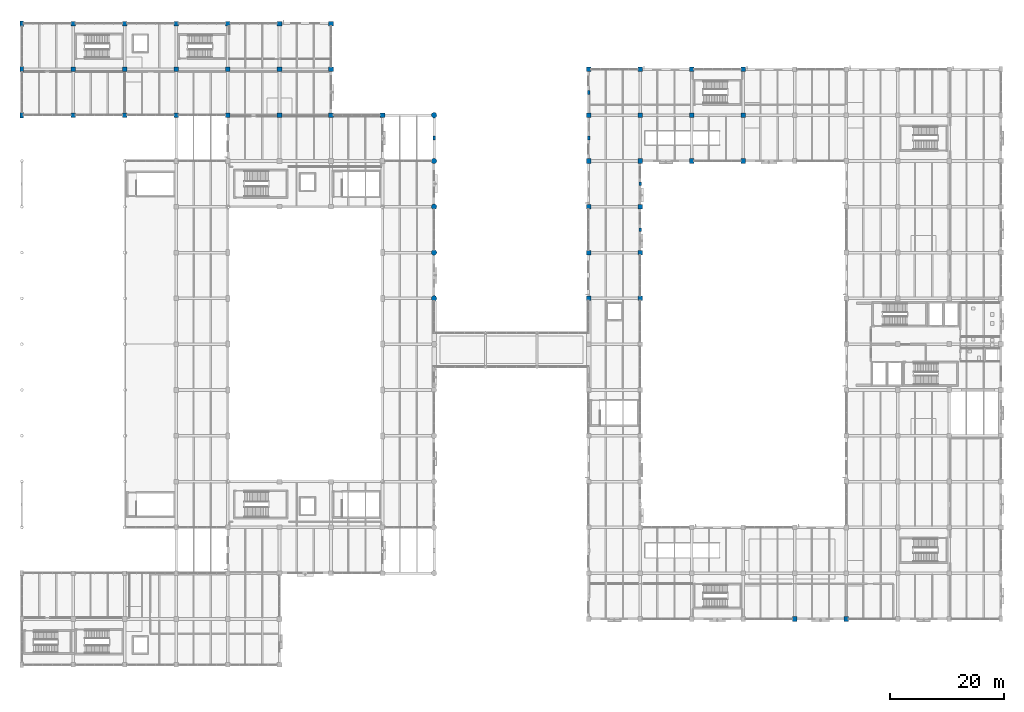
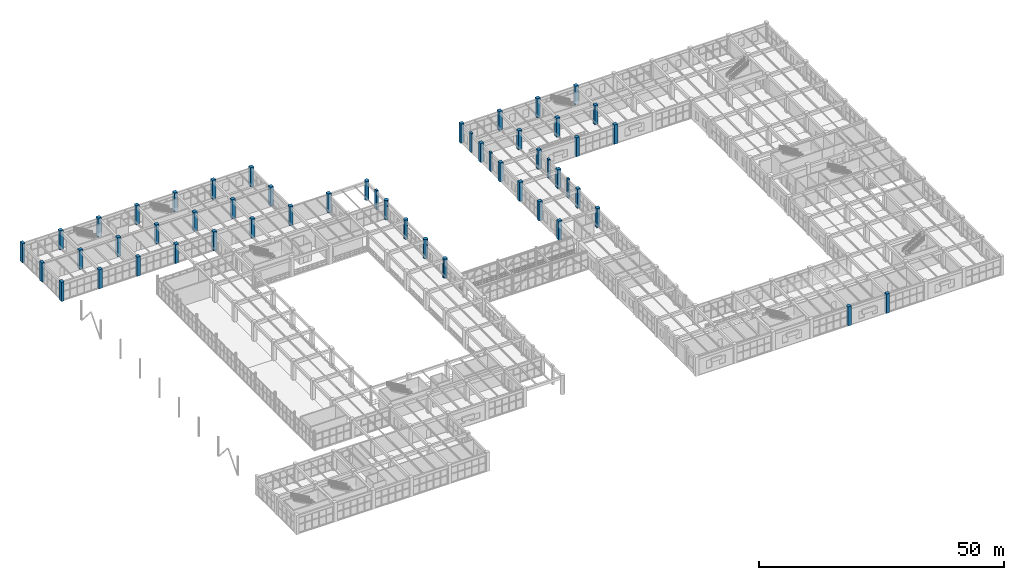
# One storey, part 9 of 178: 52 columns.
"""IFC4 building model written with IfcOpenShell, lengths in metres."""

from ifc_helpers import new_model, si_unit, derived_unit, direction, frame, origin, origin_2d, place, context, subcontext, project, spatial, rectangle, circle, extrude, material, material_profile, profile_set, type_object, element, save


model = new_model("IFC4")

# Units and contexts
model_context = context("Model", 3, precision=1e-05, world=origin(), true_north=direction((0.0, 1.0)))
body_context = subcontext(model_context, "Body", "Model", "MODEL_VIEW")
ifc_project = project(units=[si_unit("LENGTHUNIT", "METRE"), si_unit("AREAUNIT", "SQUARE_METRE"), si_unit("VOLUMEUNIT", "CUBIC_METRE"), si_unit("PLANEANGLEUNIT", "RADIAN"), si_unit("MASSUNIT", "GRAM", prefix="KILO"), derived_unit("THERMALTRANSMITTANCEUNIT", [(si_unit("MASSUNIT", "GRAM", prefix="KILO"), 1), (si_unit("TIMEUNIT", "SECOND"), -3), (si_unit("THERMODYNAMICTEMPERATUREUNIT", "KELVIN"), -1)])], contexts=[model_context])

# Site, building, storey
site_placement = place(None, origin())
site = spatial("IfcSite", under=ifc_project, at=site_placement, CompositionType="ELEMENT")
building_placement = place(site_placement, origin())
building = spatial("IfcBuilding", under=site, at=building_placement, Name="Zhenchuan Archway Interchange", CompositionType="ELEMENT")
storey_placement = place(building_placement, frame((0.0, 0.0, 5.39990234375)))
storey = spatial("IfcBuildingStorey", under=building, at=storey_placement, Name="L01", CompositionType="ELEMENT", Elevation=5.39990234375)

# Columns
ifc_material_1 = material(Name="Concrete C40", Category="concrete")
ifc_material_profile_1 = material_profile(ifc_material_1, rectangle(XDim=0.64990234375, YDim=0.949951171875, at=origin_2d()), Name="RC 650x950")
ifc_profile_set_1 = profile_set([ifc_material_profile_1], Name="Concrete C40")
column_type_1 = type_object("IfcColumnType", Name="COL_RC_650x950", PredefinedType="COLUMN", material=ifc_profile_set_1)
for number, where, z_axis, x_axis, name in (
    (1, (0.0, 96.0, 0.0), (0.0, 0.0, 1.0), (1.0, 0.0, 0.0), "Column 1/N (L01)"),
    (2, (0.0, 104.0, 0.0), (0.0, 0.0, 1.0), (1.0, 0.0, 0.0), "Column 1/O (L01)"),
    (3, (0.0, 112.0, 0.0), (0.0, 0.0, 1.0), (1.0, 0.0, 0.0), "Column 1/P (L01)"),
):
    element("IfcColumn", number, at=place(storey_placement, frame(where, z_axis=z_axis, x_axis=x_axis)), inside=storey, type_object=column_type_1, Name=name, PredefinedType="COLUMN", context=body_context, shape_type="SweptSolid", body=[
        extrude(rectangle(XDim=0.64990234375, YDim=0.949951171875, at=origin_2d()), origin(), (0.0, 0.0, 1.0), 4.800048828125),
    ])
ifc_material_profile_2 = material_profile(ifc_material_1, rectangle(XDim=0.800048828125, YDim=0.800048828125, at=origin_2d()), Name="RC 800x800")
ifc_profile_set_2 = profile_set([ifc_material_profile_2], Name="Concrete C40")
column_type_2 = type_object("IfcColumnType", Name="COL_RC_800", PredefinedType="COLUMN", material=ifc_profile_set_2)
for number, where, z_axis, x_axis, name in (
    (4, (9.0, 96.0, 0.0), (0.0, 0.0, 1.0), (1.0, 0.0, 0.0), "Column 2/N (L01)"),
    (5, (9.0, 104.0, 0.0), (0.0, 0.0, 1.0), (1.0, 0.0, 0.0), "Column 2/O (L01)"),
    (6, (9.0, 112.0, 0.0), (0.0, 0.0, 1.0), (1.0, 0.0, 0.0), "Column 2/P (L01)"),
    (7, (18.0, 96.0, 0.0), (0.0, 0.0, 1.0), (1.0, 0.0, 0.0), "Column 3/N (L01)"),
    (8, (18.0, 104.0, 0.0), (0.0, 0.0, 1.0), (1.0, 0.0, 0.0), "Column 3/O (L01)"),
    (9, (18.0, 112.0, 0.0), (0.0, 0.0, 1.0), (1.0, 0.0, 0.0), "Column 3/P (L01)"),
    (10, (27.0, 96.0, 0.0), (0.0, 0.0, 1.0), (1.0, 0.0, 0.0), "Column 4/N (L01)"),
    (11, (27.0, 104.0, 0.0), (0.0, 0.0, 1.0), (1.0, 0.0, 0.0), "Column 4/O (L01)"),
    (12, (27.0, 112.0, 0.0), (0.0, 0.0, 1.0), (1.0, 0.0, 0.0), "Column 4/P (L01)"),
    (13, (36.0, 96.0, 0.0), (0.0, 0.0, 1.0), (1.0, 0.0, 0.0), "Column 5/N (L01)"),
    (14, (36.0, 104.0, 0.0), (0.0, 0.0, 1.0), (1.0, 0.0, 0.0), "Column 5/O (L01)"),
    (15, (36.0, 112.0, 0.0), (0.0, 0.0, 1.0), (1.0, 0.0, 0.0), "Column 5/P (L01)"),
    (16, (45.0, 96.0, 0.0), (0.0, 0.0, 1.0), (1.0, 0.0, 0.0), "Column 6/N (L01)"),
    (17, (45.0, 104.0, 0.0), (0.0, 0.0, 1.0), (1.0, 0.0, 0.0), "Column 6/O (L01)"),
    (18, (45.0, 112.0, 0.0), (0.0, 0.0, 1.0), (1.0, 0.0, 0.0), "Column 6/P (L01)"),
    (19, (54.0, 96.0, 0.0), (0.0, 0.0, 1.0), (1.0, 0.0, 0.0), "Column 7/N (L01)"),
    (20, (54.0, 104.0, 0.0), (0.0, 0.0, 1.0), (1.0, 0.0, 0.0), "Column 7/O (L01)"),
    (21, (54.0, 112.0, 0.0), (0.0, 0.0, 1.0), (1.0, 0.0, 0.0), "Column 7/P (L01)"),
    (22, (63.0, 96.0, 0.0), (0.0, 0.0, 1.0), (1.0, 0.0, 0.0), "Column 8/N (L01)"),
    (23, (99.0, 64.0, 0.0), (0.0, 0.0, 1.0), (1.0, 0.0, 0.0), "Column 12/J (L01)"),
    (24, (99.0, 72.0, 0.0), (0.0, 0.0, 1.0), (1.0, 0.0, 0.0), "Column 12/K (L01)"),
    (25, (99.0, 80.0, 0.0), (0.0, 0.0, 1.0), (1.0, 0.0, 0.0), "Column 12/L (L01)"),
    (26, (99.0, 88.0, 0.0), (0.0, 0.0, 1.0), (1.0, 0.0, 0.0), "Column 12/M (L01)"),
    (27, (99.0, 96.0, 0.0), (0.0, 0.0, 1.0), (1.0, 0.0, 0.0), "Column 12/N (L01)"),
    (28, (99.0, 104.0, 0.0), (0.0, 0.0, 1.0), (1.0, 0.0, 0.0), "Column 12/O (L01)"),
    (29, (108.0, 64.0, 0.0), (0.0, 0.0, 1.0), (1.0, 0.0, 0.0), "Column 13/J (L01)"),
    (30, (108.0, 72.0, 0.0), (0.0, 0.0, 1.0), (1.0, 0.0, 0.0), "Column 13/K (L01)"),
    (31, (108.0, 80.0, 0.0), (0.0, 0.0, 1.0), (1.0, 0.0, 0.0), "Column 13/L (L01)"),
    (32, (108.0, 88.0, 0.0), (0.0, 0.0, 1.0), (1.0, 0.0, 0.0), "Column 13/M (L01)"),
    (33, (108.0, 96.0, 0.0), (0.0, 0.0, 1.0), (1.0, 0.0, 0.0), "Column 13/N (L01)"),
    (34, (108.0, 104.0, 0.0), (0.0, 0.0, 1.0), (1.0, 0.0, 0.0), "Column 13/O (L01)"),
    (35, (117.0, 88.0, 0.0), (0.0, 0.0, 1.0), (1.0, 0.0, 0.0), "Column 14/M (L01)"),
    (36, (117.0, 96.0, 0.0), (0.0, 0.0, 1.0), (1.0, 0.0, 0.0), "Column 14/N (L01)"),
    (37, (117.0, 104.0, 0.0), (0.0, 0.0, 1.0), (1.0, 0.0, 0.0), "Column 14/O (L01)"),
    (38, (126.0, 88.0, 0.0), (0.0, 0.0, 1.0), (1.0, 0.0, 0.0), "Column 15/M (L01)"),
    (39, (126.0, 96.0, 0.0), (0.0, 0.0, 1.0), (1.0, 0.0, 0.0), "Column 15/N (L01)"),
    (40, (126.0, 104.0, 0.0), (0.0, 0.0, 1.0), (1.0, 0.0, 0.0), "Column 15/O (L01)"),
    (41, (135.0, 8.0, 0.0), (0.0, 0.0, 1.0), (1.0, 0.0, 0.0), "Column 16/B (L01)"),
    (42, (144.0, 8.0, 0.0), (0.0, 0.0, 1.0), (1.0, 0.0, 0.0), "Column 17/B (L01)"),
):
    element("IfcColumn", number, at=place(storey_placement, frame(where, z_axis=z_axis, x_axis=x_axis)), inside=storey, type_object=column_type_2, Name=name, PredefinedType="COLUMN", context=body_context, shape_type="SweptSolid", body=[
        extrude(rectangle(XDim=0.800048828125, YDim=0.800048828125, at=origin_2d()), origin(), (0.0, 0.0, 1.0), 4.800048828125),
    ])
ifc_material_2 = material(Name="Concrete C50", Category="concrete")
ifc_material_profile_3 = material_profile(ifc_material_2, circle(Radius=0.47509765625, at=origin_2d()), Name="RC D950")
ifc_profile_set_3 = profile_set([ifc_material_profile_3], Name="Concrete C50")
column_type_3 = type_object("IfcColumnType", Name="COL_RC_D950", PredefinedType="COLUMN", material=ifc_profile_set_3)
for number, where, z_axis, x_axis, name in (
    (43, (72.0, 64.0, 0.0), (0.0, 0.0, 1.0), (1.0, 0.0, 0.0), "Column 9/J (L01)"),
    (44, (72.0, 72.0, 0.0), (0.0, 0.0, 1.0), (1.0, 0.0, 0.0), "Column 9/K (L01)"),
    (45, (72.0, 80.0, 0.0), (0.0, 0.0, 1.0), (1.0, 0.0, 0.0), "Column 9/L (L01)"),
    (46, (72.0, 88.0, 0.0), (0.0, 0.0, 1.0), (1.0, 0.0, 0.0), "Column 9/M (L01)"),
    (47, (72.0, 96.0, 0.0), (0.0, 0.0, 1.0), (1.0, 0.0, 0.0), "Column 9/N (L01)"),
):
    element("IfcColumn", number, at=place(storey_placement, frame(where, z_axis=z_axis, x_axis=x_axis)), inside=storey, type_object=column_type_3, Name=name, PredefinedType="COLUMN", context=body_context, shape_type="SweptSolid", body=[
        extrude(circle(Radius=0.47509765625, at=origin_2d()), origin(), (0.0, 0.0, 1.0), 4.800048828125),
    ])
ifc_material_profile_4 = material_profile(ifc_material_1, rectangle(XDim=0.39990234375, YDim=0.64990234375, at=origin_2d()), Name="RC 400x650")
ifc_profile_set_4 = profile_set([ifc_material_profile_4], Name="Concrete C40")
column_type_4 = type_object("IfcColumnType", Name="PIL_COURT_400x650", PredefinedType="PILASTER", material=ifc_profile_set_4)
for number, where, z_axis, x_axis, name in (
    (48, (108.0, 76.0, 0.0), (0.0, 0.0, 1.0), (1.0, 0.0, 0.0), "Colonnade pilaster CRT-W3 (L01)"),
    (49, (108.0, 84.0, 0.0), (0.0, 0.0, 1.0), (1.0, 0.0, 0.0), "Colonnade pilaster CRT-W4 (L01)"),
):
    element("IfcColumn", number, at=place(storey_placement, frame(where, z_axis=z_axis, x_axis=x_axis)), inside=storey, type_object=column_type_4, Name=name, PredefinedType="PILASTER", context=body_context, shape_type="SweptSolid", body=[
        extrude(rectangle(XDim=0.39990234375, YDim=0.64990234375, at=origin_2d()), origin(), (0.0, 0.0, 1.0), 4.800048828125),
    ])
ifc_material_profile_5 = material_profile(ifc_material_1, rectangle(XDim=0.449951171875, YDim=0.699951171875, at=origin_2d()), Name="RC 450x700")
ifc_profile_set_5 = profile_set([ifc_material_profile_5], Name="Concrete C40")
column_type_5 = type_object("IfcColumnType", Name="PIL_PASSAGE_450x700", PredefinedType="PILASTER", material=ifc_profile_set_5)
for number, where, z_axis, x_axis, name in (
    (50, (72.0, 92.0, 0.0), (0.0, 0.0, 1.0), (1.0, 0.0, 0.0), "Colonnade pilaster PAS-W3 (L01)"),
    (51, (99.0, 92.0, 0.0), (0.0, 0.0, 1.0), (1.0, 0.0, 0.0), "Colonnade pilaster PAS-E3 (L01)"),
    (52, (99.0, 100.0, 0.0), (0.0, 0.0, 1.0), (1.0, 0.0, 0.0), "Colonnade pilaster PAS-E4 (L01)"),
):
    element("IfcColumn", number, at=place(storey_placement, frame(where, z_axis=z_axis, x_axis=x_axis)), inside=storey, type_object=column_type_5, Name=name, PredefinedType="PILASTER", context=body_context, shape_type="SweptSolid", body=[
        extrude(rectangle(XDim=0.449951171875, YDim=0.699951171875, at=origin_2d()), origin(), (0.0, 0.0, 1.0), 4.800048828125),
    ])

save(model, "model.ifc")
